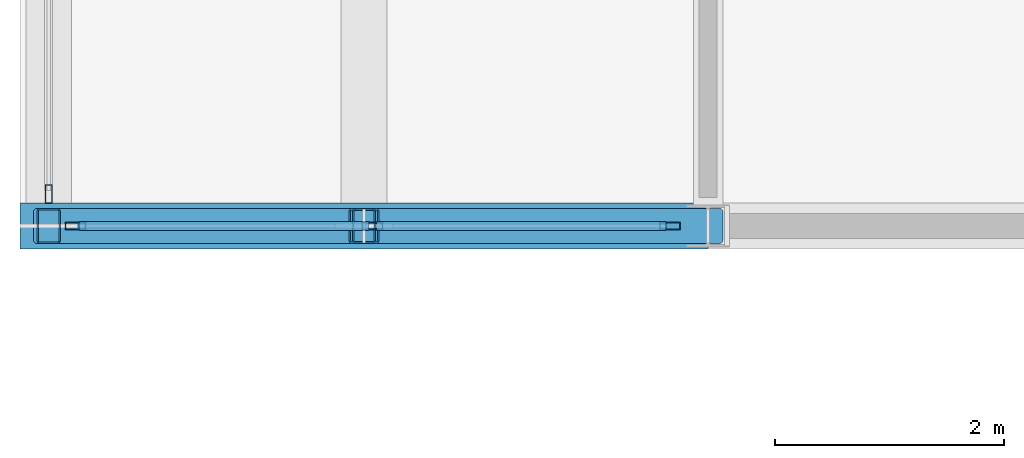
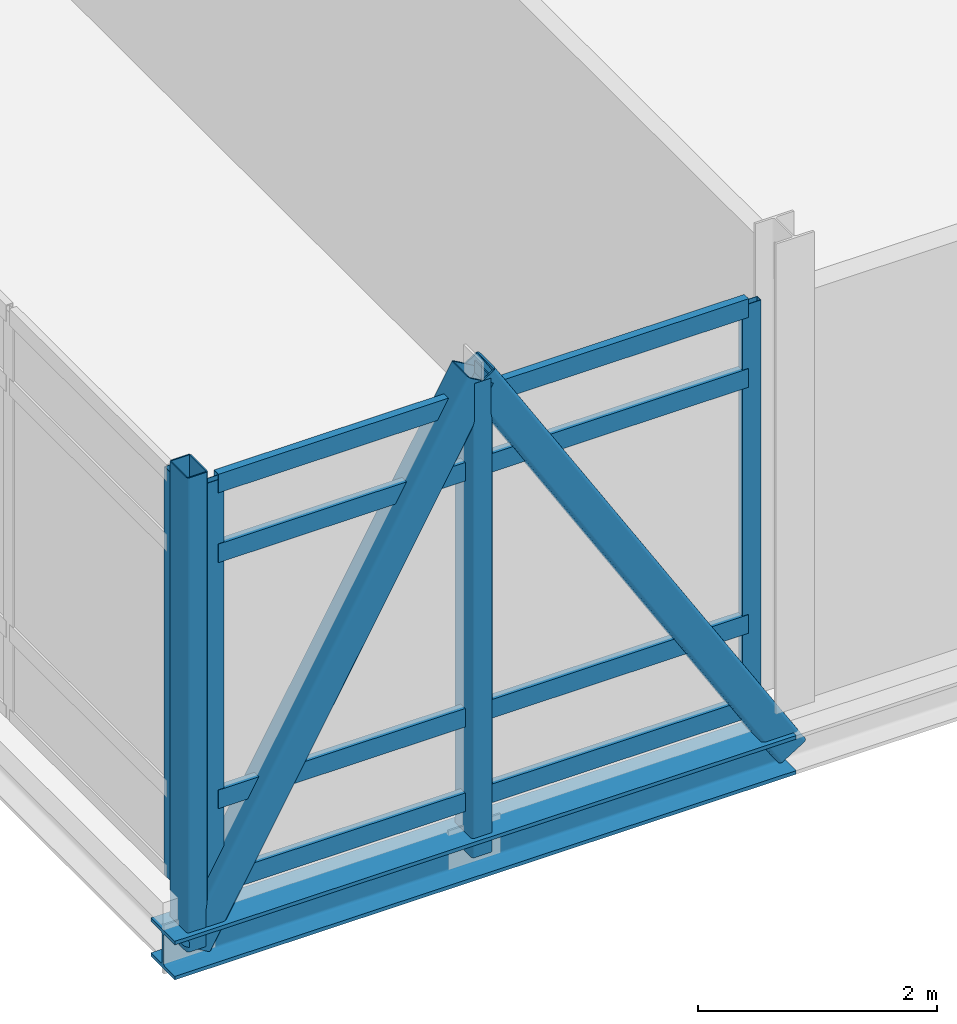
# One storey, part 8 of 45: 16 members, 1 beam, 2 elements without a shape of their own.
"""IFC4 building model written with IfcOpenShell, lengths in metres."""

from ifc_helpers import new_model, si_unit, direction, frame, origin, origin_2d, place, context, subcontext, project, spatial, hollow_rectangle, i_section, extrude, material, layer, layer_set, material_profile, profile_set, type_object, element, aggregate, save


model = new_model("IFC4")

# Units and contexts
model_context = context("Model", 3, precision=1e-05, world=origin(), true_north=direction((0.0, 1.0)))
body_context = subcontext(model_context, "Body", "Model", "MODEL_VIEW")
ifc_project = project(units=[si_unit("LENGTHUNIT", "METRE"), si_unit("AREAUNIT", "SQUARE_METRE"), si_unit("VOLUMEUNIT", "CUBIC_METRE"), si_unit("PLANEANGLEUNIT", "RADIAN"), si_unit("MASSUNIT", "GRAM", prefix="KILO")], contexts=[model_context])

# Site, building, storey
site_placement = place(None, origin())
site = spatial("IfcSite", under=ifc_project, at=site_placement, CompositionType="ELEMENT")
building_placement = place(site_placement, origin())
building = spatial("IfcBuilding", under=site, at=building_placement, Name="Calvrana Isthmian Art Gallery", CompositionType="ELEMENT")
storey_placement = place(building_placement, frame((0.0, 0.0, 19.800048828125)))
storey = spatial("IfcBuildingStorey", under=building, at=storey_placement, Name="L04", CompositionType="ELEMENT", Elevation=19.800048828125)

# Beam
ifc_material_1 = material(Name="Steel ASTM A992 Gr 50", Category="steel")
ifc_material_profile_1 = material_profile(ifc_material_1, i_section(OverallWidth=0.39892578125, OverallDepth=0.39404296875, WebThickness=0.022705078125, FlangeThickness=0.03662109375, FilletRadius=0.02490234375, at=origin_2d()), Name="W14X193")
ifc_profile_set_1 = profile_set([ifc_material_profile_1], Name="Steel ASTM A992 Gr 50")
beam_type = type_object("IfcBeamType", Name="BM-CANT-CHORD", PredefinedType="BEAM", material=ifc_profile_set_1)
beam_placement = place(storey_placement, frame((15.60009765625, 21.60009765625, -0.467041015625), z_axis=(1.0, 0.0, 0.0), x_axis=(0.0, 1.0, 0.0)))
element("IfcBeam", 1, at=beam_placement, inside=storey, type_object=beam_type, Name="Lookout cantilever bottom chord 1", PredefinedType="BEAM", context=body_context, shape_type="SweptSolid", body=[
    extrude(i_section(OverallWidth=0.39892578125, OverallDepth=0.39404296875, WebThickness=0.022705078125, FlangeThickness=0.03662109375, FilletRadius=0.02490234375, at=origin_2d()), origin(), (0.0, 0.0, 1.0), 6.0),
])

# Curtain wall, member
ifc_material_2 = material(Name="Anodized bronze aluminium 6063-T6", Category="aluminium")
ifc_layer_1 = layer(ifc_material_2, 0.179931640625, Name="Anodized bronze aluminium 6063-T6")
ifc_layer_set_1 = layer_set([ifc_layer_1], Name="Anodized bronze aluminium 6063-T6")
curtain_wall_type_1 = type_object("IfcCurtainWallType", Name="CW-STICK-163X42", PredefinedType="NOTDEFINED", material=ifc_layer_set_1)
curtain_wall_1_placement = place(storey_placement, origin())
curtain_wall_1 = element("IfcCurtainWall", 2, at=curtain_wall_1_placement, inside=storey, type_object=curtain_wall_type_1, Name="Curtain wall CW-193", PredefinedType="NOTDEFINED")
ifc_material_profile_2 = material_profile(ifc_material_2, hollow_rectangle(XDim=0.06005859375, YDim=0.159912109375, WallThickness=0.00390625, at=origin_2d()), Name="CWM60X160")
ifc_profile_set_2 = profile_set([ifc_material_profile_2], Name="Anodized bronze aluminium 6063-T6")
member_type_1 = type_object("IfcMemberType", Name="CWM-CWM60X160", PredefinedType="MULLION", material=ifc_profile_set_2)
member_1_placement = place(storey_placement, frame((15.85009765625, 21.8798828125, 0.0), z_axis=(0.0, 0.0, 1.0), x_axis=(-1.0, 0.0, 0.0)))
member_1 = element("IfcMember", 3, at=member_1_placement, type_object=member_type_1, Name="CW-193 mullion 1", PredefinedType="MULLION", context=body_context, shape_type="SweptSolid", body=[
    extrude(hollow_rectangle(XDim=0.06005859375, YDim=0.159912109375, WallThickness=0.00390625, at=origin_2d()), origin(), (0.0, 0.0, 1.0), 4.160888671875),
])
aggregate(curtain_wall_1, [member_1])

# Curtain wall, members
ifc_layer_2 = layer(ifc_material_2, 0.179931640625, Name="Anodized bronze aluminium 6063-T6")
ifc_layer_set_2 = layer_set([ifc_layer_2], Name="Anodized bronze aluminium 6063-T6")
curtain_wall_type_2 = type_object("IfcCurtainWallType", Name="CW-UNIT-052X42", PredefinedType="USERDEFINED", material=ifc_layer_set_2)
curtain_wall_2_placement = place(storey_placement, origin())
curtain_wall_2 = element("IfcCurtainWall", 4, at=curtain_wall_2_placement, inside=storey, type_object=curtain_wall_type_2, Name="Curtain wall CW-194", ObjectType="UNITISED CURTAIN WALL", PredefinedType="USERDEFINED")
ifc_material_profile_3 = material_profile(ifc_material_2, hollow_rectangle(XDim=0.06494140625, YDim=0.179931640625, WallThickness=0.00439453125, at=origin_2d()), Name="CWM65X180")
ifc_profile_set_3 = profile_set([ifc_material_profile_3], Name="Anodized bronze aluminium 6063-T6")
member_type_2 = type_object("IfcMemberType", Name="CWM-CWM65X180", PredefinedType="MULLION", material=ifc_profile_set_3)
member_2_placement = place(storey_placement, frame((21.267578125, 21.60009765625, 0.0), z_axis=(0.0, 0.0, 1.0), x_axis=(0.0, -1.0, 0.0)))
member_2 = element("IfcMember", 5, at=member_2_placement, type_object=member_type_2, Name="CW-194 mullion 1", PredefinedType="MULLION", context=body_context, shape_type="SweptSolid", body=[
    extrude(hollow_rectangle(XDim=0.06494140625, YDim=0.179931640625, WallThickness=0.00439453125, at=origin_2d()), origin(), (0.0, 0.0, 1.0), 4.160888671875),
])
member_3_placement = place(storey_placement, frame((18.675048828125, 21.60009765625, 0.0), z_axis=(0.0, 0.0, 1.0), x_axis=(0.0, -1.0, 0.0)))
member_3 = element("IfcMember", 6, at=member_3_placement, type_object=member_type_2, Name="CW-194 mullion 2", PredefinedType="MULLION", context=body_context, shape_type="SweptSolid", body=[
    extrude(hollow_rectangle(XDim=0.06494140625, YDim=0.179931640625, WallThickness=0.00439453125, at=origin_2d()), origin(), (0.0, 0.0, 1.0), 4.160888671875),
])
member_4_placement = place(storey_placement, frame((16.08251953125, 21.60009765625, 0.0), z_axis=(0.0, 0.0, 1.0), x_axis=(0.0, -1.0, 0.0)))
member_4 = element("IfcMember", 7, at=member_4_placement, type_object=member_type_2, Name="CW-194 mullion 3", PredefinedType="MULLION", context=body_context, shape_type="SweptSolid", body=[
    extrude(hollow_rectangle(XDim=0.06494140625, YDim=0.179931640625, WallThickness=0.00439453125, at=origin_2d()), origin(), (0.0, 0.0, 1.0), 4.160888671875),
])
ifc_material_profile_4 = material_profile(ifc_material_2, hollow_rectangle(XDim=0.074951171875, YDim=0.18994140625, WallThickness=0.00439453125, at=origin_2d()), Name="CWT75X190")
ifc_profile_set_4 = profile_set([ifc_material_profile_4], Name="Anodized bronze aluminium 6063-T6")
member_type_3 = type_object("IfcMemberType", Name="CWT-CWT75X190", PredefinedType="USERDEFINED", material=ifc_profile_set_4)
member_5_placement = place(storey_placement, frame((21.235107421875, 21.60009765625, 0.037353515625), z_axis=(-1.0, 0.0, 0.0), x_axis=(0.0, -1.0, 0.0)))
member_5 = element("IfcMember", 8, at=member_5_placement, type_object=member_type_3, Name="CW-194 transom 1.1", ObjectType="TRANSOM", PredefinedType="USERDEFINED", context=body_context, shape_type="SweptSolid", body=[
    extrude(hollow_rectangle(XDim=0.074951171875, YDim=0.18994140625, WallThickness=0.00439453125, at=origin_2d()), origin(), (0.0, 0.0, 1.0), 2.527587890625),
])
member_6_placement = place(storey_placement, frame((21.235107421875, 21.60009765625, 0.89990234375), z_axis=(-1.0, 0.0, 0.0), x_axis=(0.0, -1.0, 0.0)))
member_6 = element("IfcMember", 9, at=member_6_placement, type_object=member_type_3, Name="CW-194 transom 1.2", ObjectType="TRANSOM", PredefinedType="USERDEFINED", context=body_context, shape_type="SweptSolid", body=[
    extrude(hollow_rectangle(XDim=0.074951171875, YDim=0.18994140625, WallThickness=0.00439453125, at=origin_2d()), origin(), (0.0, 0.0, 1.0), 2.527587890625),
])
member_7_placement = place(storey_placement, frame((21.235107421875, 21.60009765625, 3.410888671875), z_axis=(-1.0, 0.0, 0.0), x_axis=(0.0, -1.0, 0.0)))
member_7 = element("IfcMember", 10, at=member_7_placement, type_object=member_type_3, Name="CW-194 transom 1.3", ObjectType="TRANSOM", PredefinedType="USERDEFINED", context=body_context, shape_type="SweptSolid", body=[
    extrude(hollow_rectangle(XDim=0.074951171875, YDim=0.18994140625, WallThickness=0.00439453125, at=origin_2d()), origin(), (0.0, 0.0, 1.0), 2.527587890625),
])
member_8_placement = place(storey_placement, frame((21.235107421875, 21.60009765625, 4.12353515625), z_axis=(-1.0, 0.0, 0.0), x_axis=(0.0, -1.0, 0.0)))
member_8 = element("IfcMember", 11, at=member_8_placement, type_object=member_type_3, Name="CW-194 transom 1.4", ObjectType="TRANSOM", PredefinedType="USERDEFINED", context=body_context, shape_type="SweptSolid", body=[
    extrude(hollow_rectangle(XDim=0.074951171875, YDim=0.18994140625, WallThickness=0.00439453125, at=origin_2d()), origin(), (0.0, 0.0, 1.0), 2.527587890625),
])
member_9_placement = place(storey_placement, frame((18.642578125, 21.60009765625, 0.037353515625), z_axis=(-1.0, 0.0, 0.0), x_axis=(0.0, -1.0, 0.0)))
member_9 = element("IfcMember", 12, at=member_9_placement, type_object=member_type_3, Name="CW-194 transom 2.1", ObjectType="TRANSOM", PredefinedType="USERDEFINED", context=body_context, shape_type="SweptSolid", body=[
    extrude(hollow_rectangle(XDim=0.074951171875, YDim=0.18994140625, WallThickness=0.00439453125, at=origin_2d()), origin(), (0.0, 0.0, 1.0), 2.527587890625),
])
member_10_placement = place(storey_placement, frame((18.642578125, 21.60009765625, 0.89990234375), z_axis=(-1.0, 0.0, 0.0), x_axis=(0.0, -1.0, 0.0)))
member_10 = element("IfcMember", 13, at=member_10_placement, type_object=member_type_3, Name="CW-194 transom 2.2", ObjectType="TRANSOM", PredefinedType="USERDEFINED", context=body_context, shape_type="SweptSolid", body=[
    extrude(hollow_rectangle(XDim=0.074951171875, YDim=0.18994140625, WallThickness=0.00439453125, at=origin_2d()), origin(), (0.0, 0.0, 1.0), 2.527587890625),
])
member_11_placement = place(storey_placement, frame((18.642578125, 21.60009765625, 3.410888671875), z_axis=(-1.0, 0.0, 0.0), x_axis=(0.0, -1.0, 0.0)))
member_11 = element("IfcMember", 14, at=member_11_placement, type_object=member_type_3, Name="CW-194 transom 2.3", ObjectType="TRANSOM", PredefinedType="USERDEFINED", context=body_context, shape_type="SweptSolid", body=[
    extrude(hollow_rectangle(XDim=0.074951171875, YDim=0.18994140625, WallThickness=0.00439453125, at=origin_2d()), origin(), (0.0, 0.0, 1.0), 2.527587890625),
])
member_12_placement = place(storey_placement, frame((18.642578125, 21.60009765625, 4.12353515625), z_axis=(-1.0, 0.0, 0.0), x_axis=(0.0, -1.0, 0.0)))
member_12 = element("IfcMember", 15, at=member_12_placement, type_object=member_type_3, Name="CW-194 transom 2.4", ObjectType="TRANSOM", PredefinedType="USERDEFINED", context=body_context, shape_type="SweptSolid", body=[
    extrude(hollow_rectangle(XDim=0.074951171875, YDim=0.18994140625, WallThickness=0.00439453125, at=origin_2d()), origin(), (0.0, 0.0, 1.0), 2.527587890625),
])
aggregate(curtain_wall_2, [member_2, member_3, member_4, member_5, member_6, member_7, member_8, member_9, member_10, member_11, member_12])

# Members
ifc_material_3 = material(Name="Steel ASTM A500 Gr C", Category="steel")
ifc_material_profile_5 = material_profile(ifc_material_3, hollow_rectangle(XDim=0.3046875, YDim=0.3046875, WallThickness=0.015869140625, OuterFilletRadius=0.031982421875, at=origin_2d()), Name="HSS305X305X15.9")
ifc_profile_set_5 = profile_set([ifc_material_profile_5], Name="Steel ASTM A500 Gr C")
member_type_4 = type_object("IfcMemberType", Name="MB-CANT-DIAG", PredefinedType="BRACE", material=ifc_profile_set_5)
member_13_placement = place(storey_placement, frame((15.85009765625, 21.60009765625, -0.467041015625), z_axis=(0.49400262615, 0.0, 0.86946041046), x_axis=(0.0, 1.0, 0.0)))
element("IfcMember", 16, at=member_13_placement, inside=storey, type_object=member_type_4, Name="Lookout truss 1 diagonal 1", PredefinedType="BRACE", context=body_context, shape_type="SweptSolid", body=[
    extrude(hollow_rectangle(XDim=0.3046875, YDim=0.3046875, WallThickness=0.015869140625, OuterFilletRadius=0.031982421875, at=origin_2d()), origin(), (0.0, 0.0, 1.0), 5.566650390625),
])
member_14_placement = place(storey_placement, frame((18.60009765625, 21.60009765625, 4.373046875), z_axis=(0.526831272684, 0.0, -0.849969887774), x_axis=(0.0, 1.0, 0.0)))
element("IfcMember", 17, at=member_14_placement, inside=storey, type_object=member_type_4, Name="Lookout truss 1 diagonal 2", PredefinedType="BRACE", context=body_context, shape_type="SweptSolid", body=[
    extrude(hollow_rectangle(XDim=0.3046875, YDim=0.3046875, WallThickness=0.015869140625, OuterFilletRadius=0.031982421875, at=origin_2d()), origin(), (0.0, 0.0, 1.0), 5.6943359375),
])
ifc_material_profile_6 = material_profile(ifc_material_3, hollow_rectangle(XDim=0.203125, YDim=0.3046875, WallThickness=0.0126953125, OuterFilletRadius=0.02490234375, at=origin_2d()), Name="HSS305X203X12.7")
ifc_profile_set_6 = profile_set([ifc_material_profile_6], Name="Steel ASTM A500 Gr C")
member_type_5 = type_object("IfcMemberType", Name="MB-POST-HSS305", PredefinedType="POST", material=ifc_profile_set_6)
for number, where, z_axis, x_axis, name in (
    (18, (15.85009765625, 21.60009765625, -0.467041015625), (0.0, 0.0, 1.0), (1.0, 0.0, 0.0), "Lookout truss 1 post 1"),
    (19, (18.60009765625, 21.60009765625, -0.467041015625), (0.0, 0.0, 1.0), (1.0, 0.0, 0.0), "Lookout truss 1 post 2"),
):
    element("IfcMember", number, at=place(storey_placement, frame(where, z_axis=z_axis, x_axis=x_axis)), inside=storey, type_object=member_type_5, Name=name, PredefinedType="POST", context=body_context, shape_type="SweptSolid", body=[
        extrude(hollow_rectangle(XDim=0.203125, YDim=0.3046875, WallThickness=0.0126953125, OuterFilletRadius=0.02490234375, at=origin_2d()), origin(), (0.0, 0.0, 1.0), 4.840087890625),
    ])

save(model, "model.ifc")
